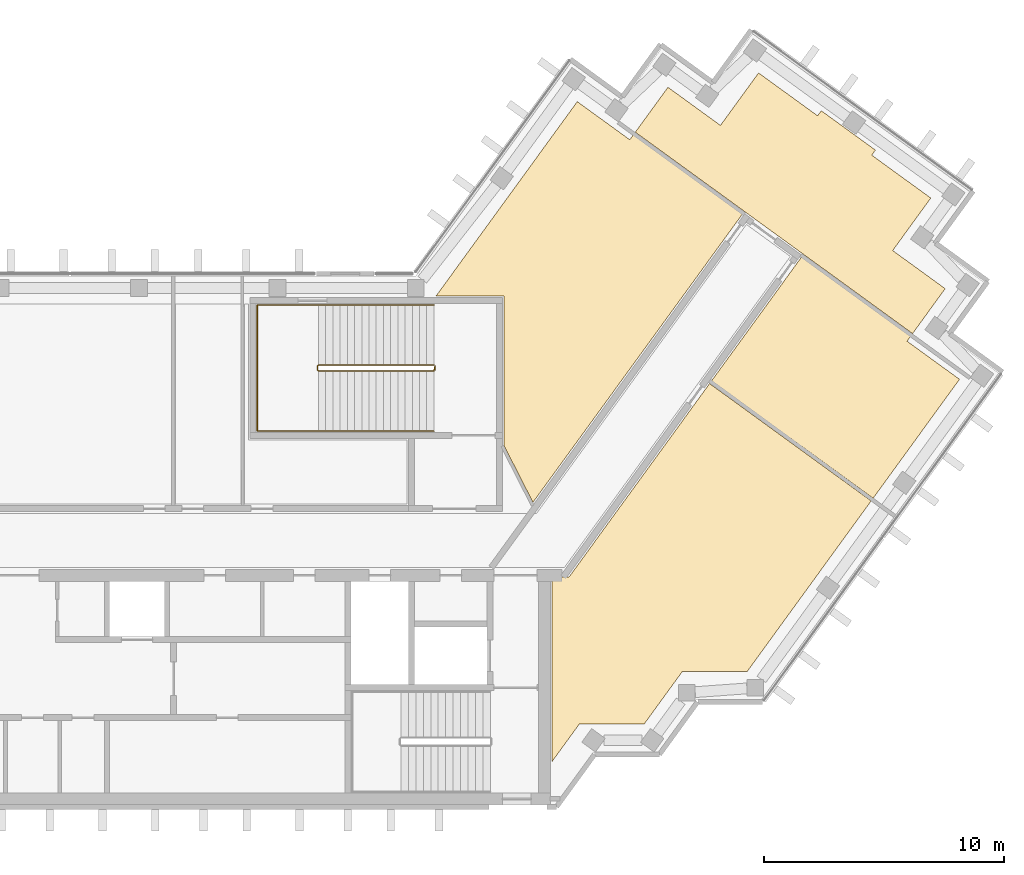
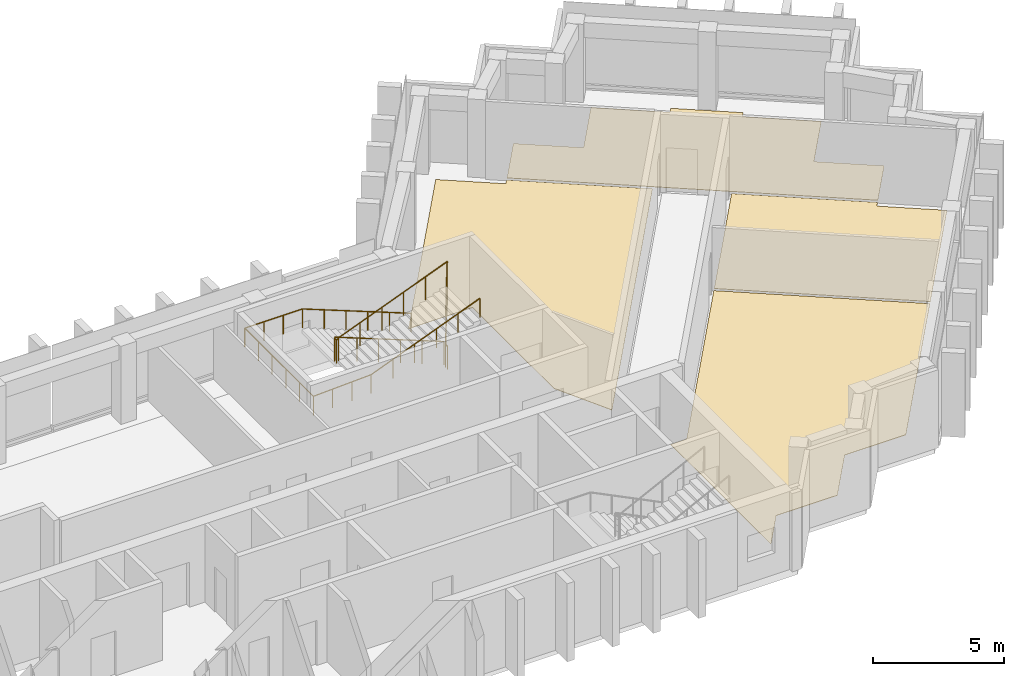
# One storey, part 8 of 8: 4 coverings, 2 railings.
"""IFC4 building model written with IfcOpenShell, lengths in metres."""

from ifc_helpers import new_model, si_unit, direction, frame, origin, origin_2d, place, context, subcontext, project, spatial, polyline, circle, outline, extrude, material, layer, layer_set, type_object, element, save


model = new_model("IFC4")

# Units and contexts
model_context = context("Model", 3, precision=1e-05, world=origin(), true_north=direction((0.0, 1.0)))
body_context = subcontext(model_context, "Body", "Model", "MODEL_VIEW")
ifc_project = project(units=[si_unit("LENGTHUNIT", "METRE"), si_unit("AREAUNIT", "SQUARE_METRE"), si_unit("VOLUMEUNIT", "CUBIC_METRE"), si_unit("PLANEANGLEUNIT", "RADIAN"), si_unit("MASSUNIT", "GRAM", prefix="KILO")], contexts=[model_context])

# Site, building, storey
site_placement = place(None, origin())
site = spatial("IfcSite", under=ifc_project, at=site_placement, CompositionType="ELEMENT")
building_placement = place(site_placement, origin())
building = spatial("IfcBuilding", under=site, at=building_placement, Name="Quipu Civic Tower", CompositionType="ELEMENT")
storey_placement = place(building_placement, frame((0.0, 0.0, 343.0)))
storey = spatial("IfcBuildingStorey", under=building, at=storey_placement, Name="L80", CompositionType="ELEMENT", Elevation=343.0)

# Coverings
ifc_material_1 = material(Name="Carpet tile on raised access floor")
ifc_layer = layer(ifc_material_1, 0.02001953125)
ifc_layer_set = layer_set([ifc_layer], Name="Carpet tile on raised access floor")
covering_type = type_object("IfcCoveringType", Name="Carpet tile floor finish 20", PredefinedType="FLOORING", material=ifc_layer_set)
covering_1_placement = place(storey_placement, origin())
element("IfcCovering", 1, at=covering_1_placement, inside=storey, type_object=covering_type, Name="Carpet tile floor finish 20", PredefinedType="FLOORING", context=body_context, shape_type="SweptSolid", body=[
    extrude(outline(polyline([(15.238037109375, 10.169921875), (21.115966796875, 18.260986328125), (23.299072265625, 16.676025390625), (23.447998046875, 16.876953125), (27.987060546875, 13.5791015625), (19.27197265625, 1.583984375), (18.070068359375, 3.94189453125), (18.070068359375, 10.1689453125), (15.238037109375, 10.169921875)])), origin(), (0.0, 0.0, 1.0), 0.02001953125),
])
covering_2_placement = place(storey_placement, origin())
element("IfcCovering", 2, at=covering_2_placement, inside=storey, type_object=covering_type, Name="Carpet tile floor finish 20", PredefinedType="FLOORING", context=body_context, shape_type="SweptSolid", body=[
    extrude(outline(polyline([(26.705078125, 6.64208984375), (30.446044921875, 11.7919921875), (34.985107421875, 8.493896484375), (34.839111328125, 8.291015625), (37.02197265625, 6.7060546875), (33.427978515625, 1.758056640625), (26.705078125, 6.64208984375)])), origin(), (0.0, 0.0, 1.0), 0.02001953125),
])
covering_3_placement = place(storey_placement, origin())
element("IfcCovering", 3, at=covering_3_placement, inside=storey, type_object=covering_type, Name="Carpet tile floor finish 20", PredefinedType="FLOORING", context=body_context, shape_type="SweptSolid", body=[
    extrude(outline(polyline([(23.531005859375, 16.989013671875), (24.888916015625, 18.85791015625), (27.073974609375, 17.27197265625), (28.658935546875, 19.455078125), (31.116943359375, 17.6708984375), (31.27099609375, 17.8798828125), (33.52197265625, 16.2451171875), (33.3701171875, 16.032958984375), (35.826904296875, 14.248046875), (34.240966796875, 12.06396484375), (36.425048828125, 10.47705078125), (35.068115234375, 8.60791015625), (23.531005859375, 16.989013671875)])), origin(), (0.0, 0.0, 1.0), 0.02001953125),
])
covering_4_placement = place(storey_placement, origin())
element("IfcCovering", 4, at=covering_4_placement, inside=storey, type_object=covering_type, Name="Carpet tile floor finish 20", PredefinedType="FLOORING", context=body_context, shape_type="SweptSolid", body=[
    extrude(outline(polyline([(20.070068359375, -9.195068359375), (20.070068359375, -1.52001953125), (20.77490234375, -1.51904296875), (26.6220703125, 6.529052734375), (33.344970703125, 1.64501953125), (28.181884765625, -5.4609375), (25.48193359375, -5.4619140625), (23.89501953125, -7.64599609375), (21.196044921875, -7.64599609375), (20.070068359375, -9.195068359375)])), origin(), (0.0, 0.0, 1.0), 0.02001953125),
])

# Railings
ifc_material_2 = material(Name="Stainless steel", Category="steel")
railing_type_1 = type_object("IfcRailingType", Name="Stair guard 1100", PredefinedType="GUARDRAIL", material=ifc_material_2)
railing_1_placement = place(storey_placement, frame((15.14990234375, 7.300048828125, 0.11767578125)))
element("IfcRailing", 5, at=railing_1_placement, inside=storey, type_object=railing_type_1, Name="Stair 4 guard", PredefinedType="GUARDRAIL", context=body_context, shape_type="SweptSolid", body=[
    extrude(circle(Radius=0.02392578125, at=origin_2d()), frame((0.0, 0.0, 1.076171875), z_axis=(-0.930970042603, 0.0, 0.365095576219), x_axis=(0.0, -1.0, 0.0)), (0.0, 0.0, 1.0), 5.15576171875),
    extrude(circle(Radius=0.02392578125, at=origin_2d()), frame((-4.7998046875, 0.0, 2.95849609375), z_axis=(-0.707106781187, -0.707106781187, 0.0), x_axis=(0.707106781187, -0.707106781187, 0.0)), (0.0, 0.0, 1.0), 0.07080078125),
    extrude(circle(Radius=0.02392578125, at=origin_2d()), frame((-4.849853515625, -0.050048828125, 2.95849609375), z_axis=(0.0, -1.0, 0.0), x_axis=(1.0, 0.0, 0.0)), (0.0, 0.0, 1.0), 0.14990234375),
    extrude(circle(Radius=0.02392578125, at=origin_2d()), frame((-4.849853515625, -0.199951171875, 2.95849609375), z_axis=(0.364463019033, -0.364463019033, 0.856932561824), x_axis=(0.707106781187, 0.707106781187, 0.0)), (0.0, 0.0, 1.0), 0.13720703125),
    extrude(circle(Radius=0.02392578125, at=origin_2d()), frame((-4.7998046875, -0.25, 3.076171875), z_axis=(0.930970042603, 0.0, 0.365095576219), x_axis=(0.0, 1.0, 0.0)), (0.0, 0.0, 1.0), 5.15576171875),
    extrude(circle(Radius=0.02392578125, at=origin_2d()), frame((0.0, -0.25, 4.95849609375), z_axis=(0.012495627992, 0.049921557685, -0.998674970829), x_axis=(-0.970072785993, 0.242814311512, 0.0)), (0.0, 0.0, 1.0), 4.00537109375),
    extrude(circle(Radius=0.02392578125, at=origin_2d()), frame((0.050048828125, -0.050048828125, 0.95849609375), z_axis=(0.0, -1.0, 0.0), x_axis=(1.0, 0.0, 0.0)), (0.0, 0.0, 1.0), 0.14990234375),
    extrude(circle(Radius=0.02099609375, at=origin_2d()), origin(), (0.0, 0.0, 1.0), 1.052001953125),
    extrude(circle(Radius=0.02099609375, at=origin_2d()), frame((-0.9599609375, 0.0, 0.37646484375)), (0.0, 0.0, 1.0), 1.052001953125),
    extrude(circle(Radius=0.02099609375, at=origin_2d()), frame((-1.919921875, 0.0, 0.7529296875)), (0.0, 0.0, 1.0), 1.052001953125),
    extrude(circle(Radius=0.02099609375, at=origin_2d()), frame((-2.8798828125, 0.0, 1.12939453125)), (0.0, 0.0, 1.0), 1.052001953125),
    extrude(circle(Radius=0.02099609375, at=origin_2d()), frame((-3.83984375, 0.0, 1.505859375)), (0.0, 0.0, 1.0), 1.052001953125),
    extrude(circle(Radius=0.02099609375, at=origin_2d()), frame((-4.7998046875, 0.0, 1.88232421875)), (0.0, 0.0, 1.0), 1.052001953125),
    extrude(circle(Radius=0.02099609375, at=origin_2d()), frame((-4.849853515625, -0.050048828125, 1.88232421875)), (0.0, 0.0, 1.0), 1.052001953125),
    extrude(circle(Radius=0.02099609375, at=origin_2d()), frame((-4.849853515625, -0.199951171875, 1.88232421875)), (0.0, 0.0, 1.0), 1.052001953125),
    extrude(circle(Radius=0.02099609375, at=origin_2d()), frame((-4.7998046875, -0.25, 2.0)), (0.0, 0.0, 1.0), 1.052001953125),
    extrude(circle(Radius=0.02099609375, at=origin_2d()), frame((-3.83984375, -0.25, 2.37646484375)), (0.0, 0.0, 1.0), 1.052001953125),
    extrude(circle(Radius=0.02099609375, at=origin_2d()), frame((-2.8798828125, -0.25, 2.7529296875)), (0.0, 0.0, 1.0), 1.052001953125),
    extrude(circle(Radius=0.02099609375, at=origin_2d()), frame((-1.919921875, -0.25, 3.12939453125)), (0.0, 0.0, 1.0), 1.052001953125),
    extrude(circle(Radius=0.02099609375, at=origin_2d()), frame((-0.9599609375, -0.25, 3.505859375)), (0.0, 0.0, 1.0), 1.052001953125),
    extrude(circle(Radius=0.02099609375, at=origin_2d()), frame((0.0, -0.25, 3.88232421875)), (0.0, 0.0, 1.0), 1.052001953125),
    extrude(circle(Radius=0.02099609375, at=origin_2d()), frame((0.012451171875, -0.199951171875, 2.88232421875)), (0.0, 0.0, 1.0), 1.052001953125),
    extrude(circle(Radius=0.02099609375, at=origin_2d()), frame((0.02490234375, -0.14990234375, 1.88232421875)), (0.0, 0.0, 1.0), 1.052001953125),
    extrude(circle(Radius=0.02099609375, at=origin_2d()), frame((0.03759765625, -0.10009765625, 0.88232421875)), (0.0, 0.0, 1.0), 1.052001953125),
    extrude(circle(Radius=0.02099609375, at=origin_2d()), frame((0.050048828125, -0.050048828125, -0.11767578125)), (0.0, 0.0, 1.0), 1.052001953125),
    extrude(circle(Radius=0.02099609375, at=origin_2d()), frame((0.050048828125, -0.199951171875, -0.11767578125)), (0.0, 0.0, 1.0), 1.052001953125),
])
ifc_material_3 = material(Name="Stainless steel", Category="steel")
railing_type_2 = type_object("IfcRailingType", Name="Stair handrail", PredefinedType="HANDRAIL", material=ifc_material_3)
railing_2_placement = place(storey_placement, frame((15.14990234375, 9.800048828125, 0.11767578125)))
element("IfcRailing", 6, at=railing_2_placement, inside=storey, type_object=railing_type_2, Name="Stair 4 handrail", PredefinedType="HANDRAIL", context=body_context, shape_type="SweptSolid", body=[
    extrude(circle(Radius=0.02392578125, at=origin_2d()), frame((0.0, 0.0, 0.8759765625), z_axis=(-0.930970042603, 0.0, 0.365095576219), x_axis=(0.0, -1.0, 0.0)), (0.0, 0.0, 1.0), 5.15576171875),
    extrude(circle(Radius=0.02392578125, at=origin_2d()), frame((-4.7998046875, 0.0, 2.75830078125), z_axis=(-1.0, 0.0, 0.0), x_axis=(0.0, -1.0, 0.0)), (0.0, 0.0, 1.0), 2.550048828125),
    extrude(circle(Radius=0.02392578125, at=origin_2d()), frame((-7.349853515625, 0.0, 2.75830078125), z_axis=(0.0, -1.0, 0.0), x_axis=(1.0, 0.0, 0.0)), (0.0, 0.0, 1.0), 5.25),
    extrude(circle(Radius=0.02392578125, at=origin_2d()), frame((-7.349853515625, -5.25, 2.75830078125), z_axis=(0.998936948642, 0.0, 0.04609742549), x_axis=(0.0, 1.0, 0.0)), (0.0, 0.0, 1.0), 2.552734375),
    extrude(circle(Radius=0.02392578125, at=origin_2d()), frame((-4.7998046875, -5.25, 2.8759765625), z_axis=(0.930970042603, 0.0, 0.365095576219), x_axis=(0.0, 1.0, 0.0)), (0.0, 0.0, 1.0), 5.15576171875),
    extrude(circle(Radius=0.02099609375, at=origin_2d()), origin(), (0.0, 0.0, 1.0), 0.851806640625),
    extrude(circle(Radius=0.02099609375, at=origin_2d()), frame((-0.9599609375, 0.0, 0.37646484375)), (0.0, 0.0, 1.0), 0.851806640625),
    extrude(circle(Radius=0.02099609375, at=origin_2d()), frame((-1.919921875, 0.0, 0.7529296875)), (0.0, 0.0, 1.0), 0.851806640625),
    extrude(circle(Radius=0.02099609375, at=origin_2d()), frame((-2.8798828125, 0.0, 1.12939453125)), (0.0, 0.0, 1.0), 0.851806640625),
    extrude(circle(Radius=0.02099609375, at=origin_2d()), frame((-3.83984375, 0.0, 1.505859375)), (0.0, 0.0, 1.0), 0.851806640625),
    extrude(circle(Radius=0.02099609375, at=origin_2d()), frame((-4.7998046875, 0.0, 1.88232421875)), (0.0, 0.0, 1.0), 0.851806640625),
    extrude(circle(Radius=0.02099609375, at=origin_2d()), frame((-5.64990234375, 0.0, 1.88232421875)), (0.0, 0.0, 1.0), 0.851806640625),
    extrude(circle(Radius=0.02099609375, at=origin_2d()), frame((-6.499755859375, 0.0, 1.88232421875)), (0.0, 0.0, 1.0), 0.851806640625),
    extrude(circle(Radius=0.02099609375, at=origin_2d()), frame((-7.349853515625, 0.0, 1.88232421875)), (0.0, 0.0, 1.0), 0.851806640625),
    extrude(circle(Radius=0.02099609375, at=origin_2d()), frame((-7.349853515625, -1.050048828125, 1.88232421875)), (0.0, 0.0, 1.0), 0.851806640625),
    extrude(circle(Radius=0.02099609375, at=origin_2d()), frame((-7.349853515625, -2.10009765625, 1.88232421875)), (0.0, 0.0, 1.0), 0.851806640625),
    extrude(circle(Radius=0.02099609375, at=origin_2d()), frame((-7.349853515625, -3.14990234375, 1.88232421875)), (0.0, 0.0, 1.0), 0.851806640625),
    extrude(circle(Radius=0.02099609375, at=origin_2d()), frame((-7.349853515625, -4.199951171875, 1.88232421875)), (0.0, 0.0, 1.0), 0.851806640625),
    extrude(circle(Radius=0.02099609375, at=origin_2d()), frame((-7.349853515625, -5.25, 1.88232421875)), (0.0, 0.0, 1.0), 0.851806640625),
    extrude(circle(Radius=0.02099609375, at=origin_2d()), frame((-6.499755859375, -5.25, 1.921630859375)), (0.0, 0.0, 1.0), 0.851806640625),
    extrude(circle(Radius=0.02099609375, at=origin_2d()), frame((-5.64990234375, -5.25, 1.960693359375)), (0.0, 0.0, 1.0), 0.851806640625),
    extrude(circle(Radius=0.02099609375, at=origin_2d()), frame((-4.7998046875, -5.25, 2.0)), (0.0, 0.0, 1.0), 0.851806640625),
    extrude(circle(Radius=0.02099609375, at=origin_2d()), frame((-3.83984375, -5.25, 2.37646484375)), (0.0, 0.0, 1.0), 0.851806640625),
    extrude(circle(Radius=0.02099609375, at=origin_2d()), frame((-2.8798828125, -5.25, 2.7529296875)), (0.0, 0.0, 1.0), 0.851806640625),
    extrude(circle(Radius=0.02099609375, at=origin_2d()), frame((-1.919921875, -5.25, 3.12939453125)), (0.0, 0.0, 1.0), 0.851806640625),
    extrude(circle(Radius=0.02099609375, at=origin_2d()), frame((-0.9599609375, -5.25, 3.505859375)), (0.0, 0.0, 1.0), 0.851806640625),
    extrude(circle(Radius=0.02099609375, at=origin_2d()), frame((0.0, -5.25, 3.88232421875)), (0.0, 0.0, 1.0), 0.851806640625),
])

save(model, "model.ifc")
